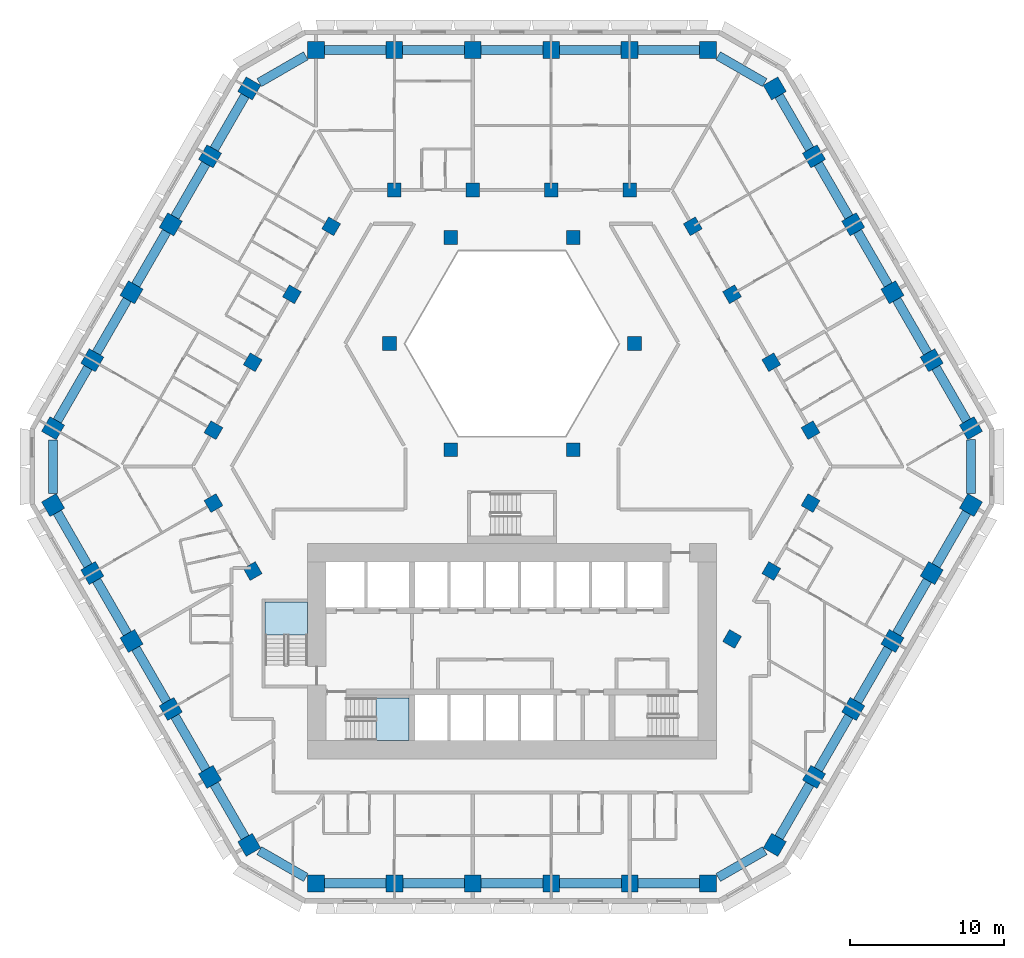
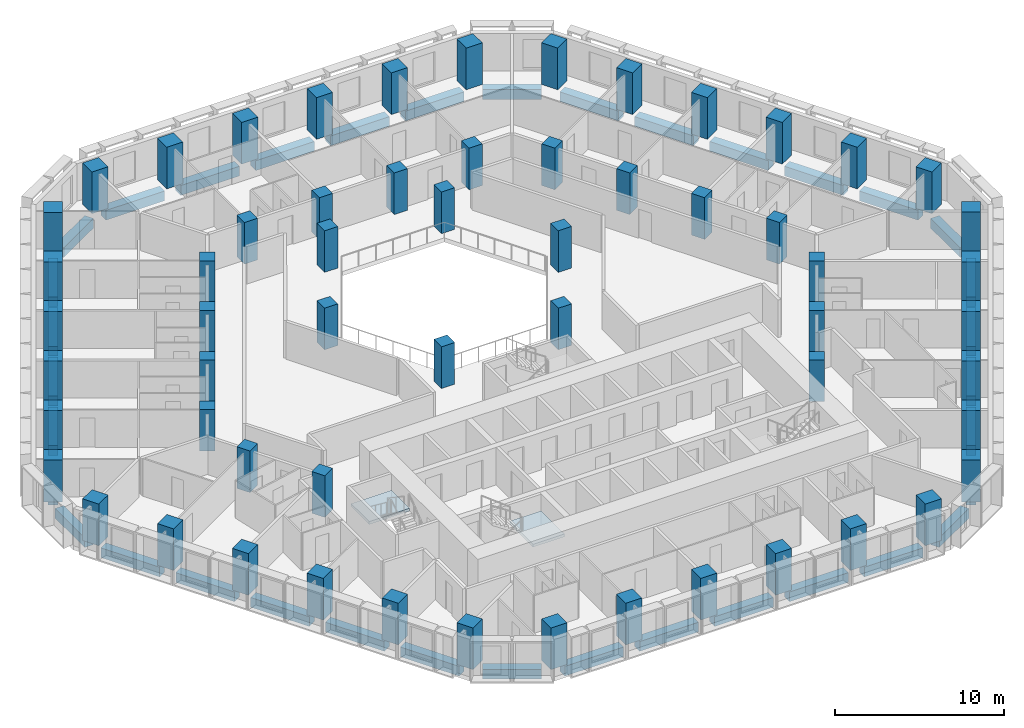
# One storey, part 1 of 16: 59 columns, 36 beams, 2 slabs, 2 elements without a shape of their own.
"""IFC4 building model written with IfcOpenShell, lengths in metres."""

import ifcopenshell
import ifcopenshell.guid

model = None  # the IFC model being written
_history = None  # IfcOwnerHistory: only IFC2X3 demands one
_inside = {}  # id of a spatial element -> (the spatial element, [elements in it])
_under = {}  # id of a project, library or spatial element -> (it, [spatial elements below it])
_declared = {}  # id of a project -> (the project, [libraries it declares])
_typed = {}  # id of a type object -> (the type object, [elements of that type])
_made_of = {}  # id of a material, layer set ... -> (it, [elements and type objects made of it])


def new_model(schema):
    """Start an empty IFC model of exactly this schema.

    Asked for "IFC4X3", IfcOpenShell would pick the latest addendum, in which some entities
    have other attributes; the version numbers below select the first issue.
    IFC2X3 requires an IfcOwnerHistory on every rooted entity: one is made here for all.
    """
    global model, _history
    if schema == "IFC4X3":
        model = ifcopenshell.file(schema_version=(4, 3, 0, 0))
    else:
        model = ifcopenshell.file(schema=schema)
    _inside.clear()
    _under.clear()
    _declared.clear()
    _typed.clear()
    _made_of.clear()
    _history = None
    if model.schema == "IFC2X3":
        org = make("IfcOrganization", Name="unknown")
        user = make(
            "IfcPersonAndOrganization",
            ThePerson=make("IfcPerson", FamilyName="unknown"),
            TheOrganization=org,
        )
        app = make(
            "IfcApplication",
            ApplicationDeveloper=org,
            Version="unknown",
            ApplicationFullName="unknown",
            ApplicationIdentifier="unknown",
        )
        _history = make(
            "IfcOwnerHistory",
            OwningUser=user,
            OwningApplication=app,
            ChangeAction="ADDED",
            CreationDate=0,
        )
    return model


def make(cls, **values):
    """One entity of the class cls with the attributes given. An attribute that is None is left unset."""
    return model.create_entity(
        cls, **{name: value for name, value in values.items() if value is not None}
    )


def rooted(cls, **values):
    """An entity with a GlobalId (a new one), such as an element, a storey or a relation."""
    return make(cls, GlobalId=ifcopenshell.guid.new(), OwnerHistory=_history, **values)


def si_unit(unit_type, name, prefix=None):
    """IfcSIUnit, for example si_unit("LENGTHUNIT", "METRE", prefix="MILLI")."""
    return make("IfcSIUnit", UnitType=unit_type, Prefix=prefix, Name=name)


def assignment(units):
    """IfcUnitAssignment: the units of a project."""
    return None if units is None else make("IfcUnitAssignment", Units=units)


def point(xyz):
    """IfcCartesianPoint."""
    return None if xyz is None else make("IfcCartesianPoint", Coordinates=xyz)


def direction(xyz):
    """IfcDirection."""
    return None if xyz is None else make("IfcDirection", DirectionRatios=xyz)


def frame(location, z_axis=None, x_axis=None):
    """IfcAxis2Placement3D, a coordinate frame: its origin and axes. An axis left out is left unset."""
    return make(
        "IfcAxis2Placement3D",
        Location=point(location),
        Axis=direction(z_axis),
        RefDirection=direction(x_axis),
    )


def frame_2d(location, x_axis=None):
    """IfcAxis2Placement2D, a coordinate frame in the plane: its origin and x axis."""
    return make(
        "IfcAxis2Placement2D", Location=point(location), RefDirection=direction(x_axis)
    )


def origin():
    """The frame at (0, 0, 0) with its axes left unset."""
    return frame((0.0, 0.0, 0.0))


def origin_2d():
    """The frame at (0, 0) in the plane with its x axis left unset."""
    return frame_2d((0.0, 0.0))


def place(relative_to, where):
    """IfcLocalPlacement: puts the frame where relative to a parent placement (None: the world)."""
    return make(
        "IfcLocalPlacement", PlacementRelTo=relative_to, RelativePlacement=where
    )


def context(
    kind, dimensions, precision=None, world=None, true_north=None, identifier=None
):
    """IfcGeometricRepresentationContext, for example the 3D "Model" context."""
    return make(
        "IfcGeometricRepresentationContext",
        ContextIdentifier=identifier,
        ContextType=kind,
        CoordinateSpaceDimension=dimensions,
        Precision=precision,
        WorldCoordinateSystem=world,
        TrueNorth=true_north,
    )


def subcontext(parent, identifier, kind, view, scale=None):
    """IfcGeometricRepresentationSubContext, for example "Body" below "Model"."""
    return make(
        "IfcGeometricRepresentationSubContext",
        ContextIdentifier=identifier,
        ContextType=kind,
        ParentContext=parent,
        TargetScale=scale,
        TargetView=view,
    )


def project(units=None, contexts=None):
    """IfcProject with its units and contexts."""
    return rooted(
        "IfcProject",
        Name="project",
        RepresentationContexts=contexts,
        UnitsInContext=assignment(units),
    )


def spatial(cls, under=None, at=None, **own):
    """A site, building, storey or space (cls), placed at a placement, below another one or the project."""
    s = rooted(cls, ObjectPlacement=at, **own)
    if under is not None:
        _under.setdefault(under.id(), (under, []))[1].append(s)
    return s


def polyline(points):
    """IfcPolyline through the points."""
    return make("IfcPolyline", Points=[point(p) for p in points])


def profile(cls, at=None, kind="AREA", **sizes):
    """A parametric profile (cls). Its sizes go by their IFC names, for example OverallWidth=200.0."""
    return make(cls, ProfileType=kind, Position=at, **sizes)


def rectangle(**sizes):
    """IfcRectangleProfileDef."""
    return profile("IfcRectangleProfileDef", **sizes)


def outline(outer, holes=None, kind="AREA"):
    """IfcArbitraryClosedProfileDef: a profile drawn as a closed curve; with holes, ...WithVoids."""
    if holes is None:
        return make("IfcArbitraryClosedProfileDef", ProfileType=kind, OuterCurve=outer)
    return make(
        "IfcArbitraryProfileDefWithVoids",
        ProfileType=kind,
        OuterCurve=outer,
        InnerCurves=holes,
    )


def extrude(swept, where, along, depth):
    """IfcExtrudedAreaSolid: the profile swept, set in the frame where, extruded along a direction by depth."""
    return make(
        "IfcExtrudedAreaSolid",
        SweptArea=swept,
        Position=where,
        ExtrudedDirection=direction(along),
        Depth=depth,
    )


def shape(context_of_items, identifier, shape_type, items):
    """IfcShapeRepresentation: the items that make up one representation, for example the "Body"."""
    return make(
        "IfcShapeRepresentation",
        ContextOfItems=context_of_items,
        RepresentationIdentifier=identifier,
        RepresentationType=shape_type,
        Items=items,
    )


def material(Name=None, Category=None):
    """IfcMaterial."""
    return make("IfcMaterial", Name=Name, Category=Category)


def layer(
    of_material, thickness, ventilated=None, Name=None, Category=None, Priority=None
):
    """IfcMaterialLayer: one layer of a wall or slab, of a material (None: an air gap)."""
    return make(
        "IfcMaterialLayer",
        Material=of_material,
        LayerThickness=thickness,
        IsVentilated=ventilated,
        Name=Name,
        Category=Category,
        Priority=Priority,
    )


def layer_set(layers, Name=None):
    """IfcMaterialLayerSet."""
    return make("IfcMaterialLayerSet", MaterialLayers=layers, LayerSetName=Name)


def material_profile(
    of_material, cross_section, Name=None, Category=None, Priority=None
):
    """IfcMaterialProfile: a cross section and its material."""
    return make(
        "IfcMaterialProfile",
        Name=Name,
        Material=of_material,
        Profile=cross_section,
        Priority=Priority,
        Category=Category,
    )


def profile_set(profiles, Name=None, composite=None):
    """IfcMaterialProfileSet."""
    return make(
        "IfcMaterialProfileSet",
        Name=Name,
        MaterialProfiles=profiles,
        CompositeProfile=composite,
    )


def made_of(thing, what):
    """Note that an element or type object is made of a material, layer set ...; save() writes the relation."""
    if what is not None:
        _made_of.setdefault(what.id(), (what, []))[1].append(thing)
    return thing


def type_object(cls, material=None, **own):
    """A type object (cls), such as IfcWallType, which elements share."""
    return made_of(rooted(cls, **own), material)


def element(
    cls,
    number,
    at=None,
    inside=None,
    cuts=None,
    type_object=None,
    material=None,
    context=None,
    identifier="Body",
    shape_type=None,
    held_by="IfcProductDefinitionShape",
    body=None,
    shapes=None,
    **own,
):
    """One element of the class cls, such as IfcWall. Its Tag is "e" and its number.

    at: its placement. inside: the storey or other place that contains it. cuts: it is an
    opening in that element (IfcRelVoidsElement). A single representation is given by context,
    identifier, shape_type and body (its items); several are given by shapes. held_by: the class
    of the entity that holds the representations. save() writes the other relations.
    """
    e = rooted(cls, Tag="e%d" % number, ObjectPlacement=at, **own)
    if body is not None:
        shapes = [shape(context, identifier, shape_type, body)]
    if shapes is not None:
        e.Representation = make(held_by, Representations=shapes)
    if inside is not None:
        _inside.setdefault(inside.id(), (inside, []))[1].append(e)
    if cuts is not None:
        rooted(
            "IfcRelVoidsElement", RelatingBuildingElement=cuts, RelatedOpeningElement=e
        )
    if type_object is not None:
        _typed.setdefault(type_object.id(), (type_object, []))[1].append(e)
    return made_of(e, material)


def aggregate(whole, parts):
    """IfcRelAggregates: a whole, such as a stair, and the parts it consists of."""
    return rooted("IfcRelAggregates", RelatingObject=whole, RelatedObjects=parts)


def save(model, path):
    """Write the relations noted so far, then the file.

    IfcRelAggregates (storeys below a building ...), IfcRelContainedInSpatialStructure (elements
    in a storey), IfcRelDefinesByType, IfcRelAssociatesMaterial and IfcRelDeclares: one each for
    every whole, place, type object, material and project.
    """
    for whole, parts in _under.values():
        aggregate(whole, parts)
    for where, things in _inside.values():
        rooted(
            "IfcRelContainedInSpatialStructure",
            RelatedElements=things,
            RelatingStructure=where,
        )
    for kind, things in _typed.values():
        rooted("IfcRelDefinesByType", RelatedObjects=things, RelatingType=kind)
    for what, things in _made_of.values():
        rooted("IfcRelAssociatesMaterial", RelatedObjects=things, RelatingMaterial=what)
    for by, libraries in _declared.values():
        rooted("IfcRelDeclares", RelatingContext=by, RelatedDefinitions=libraries)
    model.write(path)


model = new_model("IFC4")

# Units and contexts
model_context = context("Model", 3, precision=1e-05, world=origin(), true_north=direction((0.0, 1.0)))
body_context = subcontext(model_context, "Body", "Model", "MODEL_VIEW")
ifc_project = project(units=[si_unit("LENGTHUNIT", "METRE"), si_unit("AREAUNIT", "SQUARE_METRE"), si_unit("VOLUMEUNIT", "CUBIC_METRE"), si_unit("PLANEANGLEUNIT", "RADIAN"), si_unit("MASSUNIT", "GRAM", prefix="KILO")], contexts=[model_context])

# Site, building, storey
site_placement = place(None, origin())
site = spatial("IfcSite", under=ifc_project, at=site_placement, CompositionType="ELEMENT")
building_placement = place(site_placement, origin())
building = spatial("IfcBuilding", under=site, at=building_placement, Name="Beryl Residences", CompositionType="ELEMENT")
storey_placement = place(building_placement, frame((0.0, 0.0, 50.39990234375)))
storey = spatial("IfcBuildingStorey", under=building, at=storey_placement, Name="L15", CompositionType="ELEMENT", Elevation=50.39990234375)

# Columns
ifc_material_1 = material(Name="Concrete C80/95", Category="concrete")
ifc_material_profile_1 = material_profile(ifc_material_1, rectangle(XDim=1.10009765625, YDim=1.10009765625, at=origin_2d()))
ifc_profile_set_1 = profile_set([ifc_material_profile_1], Name="Concrete C80/95")
column_type_1 = type_object("IfcColumnType", Name="C1 tube column 1100 x 1100 C80/95", PredefinedType="COLUMN", material=ifc_profile_set_1)
for number, where, z_axis, x_axis, name in (
    (1, (12.759033203125, 27.10009765625, 0.0), (0.0, 0.0, 1.0), (-1.0, 0.0, 0.0), "C1-N1 L15"),
    (2, (7.655029296875, 27.10009765625, 0.0), (0.0, 0.0, 1.0), (-1.0, 0.0, 0.0), "C1-N2 L15"),
    (3, (2.551025390625, 27.10009765625, 0.0), (0.0, 0.0, 1.0), (-1.0, 0.0, 0.0), "C1-N3 L15"),
    (4, (-2.552978515625, 27.10009765625, 0.0), (0.0, 0.0, 1.0), (-1.0, 0.0, 0.0), "C1-N4 L15"),
    (5, (-7.656982421875, 27.10009765625, 0.0), (0.0, 0.0, 1.0), (-1.0, 0.0, 0.0), "C1-N5 L15"),
    (6, (-12.760986328125, 27.10009765625, 0.0), (0.0, 0.0, 1.0), (-1.0, 0.0, 0.0), "C1-N6 L15"),
    (7, (-17.090087890625, 24.60009765625, 0.0), (0.0, 0.0, 1.0), (-0.499984884929, -0.866034130299, 0.0), "C1-NW1 L15"),
    (8, (-19.64208984375, 20.179931640625, 0.0), (0.0, 0.0, 1.0), (-0.499984884929, -0.866034130299, 0.0), "C1-NW2 L15"),
    (9, (-22.194091796875, 15.759033203125, 0.0), (0.0, 0.0, 1.0), (-0.499984884929, -0.866034130299, 0.0), "C1-NW3 L15"),
    (10, (-24.74609375, 11.339111328125, 0.0), (0.0, 0.0, 1.0), (-0.499984884929, -0.866034130299, 0.0), "C1-NW4 L15"),
    (11, (-27.298095703125, 6.9189453125, 0.0), (0.0, 0.0, 1.0), (-0.499984884929, -0.866034130299, 0.0), "C1-NW5 L15"),
    (12, (-29.84912109375, 2.4990234375, 0.0), (0.0, 0.0, 1.0), (-0.499984884929, -0.866034130299, 0.0), "C1-NW6 L15"),
    (13, (-29.847900390625, -2.5, 0.0), (0.0, 0.0, 1.0), (0.499984884929, -0.866034130299, 0.0), "C1-SW1 L15"),
    (14, (-27.297119140625, -6.9208984375, 0.0), (0.0, 0.0, 1.0), (0.499984884929, -0.866034130299, 0.0), "C1-SW2 L15"),
    (15, (-24.7451171875, -11.341064453125, 0.0), (0.0, 0.0, 1.0), (0.499984884929, -0.866034130299, 0.0), "C1-SW3 L15"),
    (16, (-22.193115234375, -15.760986328125, 0.0), (0.0, 0.0, 1.0), (0.499984884929, -0.866034130299, 0.0), "C1-SW4 L15"),
    (17, (-19.64111328125, -20.180908203125, 0.0), (0.0, 0.0, 1.0), (0.499984884929, -0.866034130299, 0.0), "C1-SW5 L15"),
    (18, (-17.089111328125, -24.60107421875, 0.0), (0.0, 0.0, 1.0), (0.499984884929, -0.866034130299, 0.0), "C1-SW6 L15"),
    (19, (-12.759033203125, -27.10009765625, 0.0), (0.0, 0.0, 1.0), (1.0, 0.0, 0.0), "C1-S1 L15"),
    (20, (-7.655029296875, -27.10009765625, 0.0), (0.0, 0.0, 1.0), (1.0, 0.0, 0.0), "C1-S2 L15"),
    (21, (-2.551025390625, -27.10009765625, 0.0), (0.0, 0.0, 1.0), (1.0, 0.0, 0.0), "C1-S3 L15"),
    (22, (2.552978515625, -27.10009765625, 0.0), (0.0, 0.0, 1.0), (1.0, 0.0, 0.0), "C1-S4 L15"),
    (23, (7.656982421875, -27.10009765625, 0.0), (0.0, 0.0, 1.0), (1.0, 0.0, 0.0), "C1-S5 L15"),
    (24, (12.760986328125, -27.10009765625, 0.0), (0.0, 0.0, 1.0), (1.0, 0.0, 0.0), "C1-S6 L15"),
    (25, (17.090087890625, -24.60009765625, 0.0), (0.0, 0.0, 1.0), (0.499984884929, 0.866034130299, 0.0), "C1-SE1 L15"),
    (26, (19.64208984375, -20.179931640625, 0.0), (0.0, 0.0, 1.0), (0.499984884929, 0.866034130299, 0.0), "C1-SE2 L15"),
    (27, (22.194091796875, -15.759033203125, 0.0), (0.0, 0.0, 1.0), (0.499984884929, 0.866034130299, 0.0), "C1-SE3 L15"),
    (28, (24.74609375, -11.339111328125, 0.0), (0.0, 0.0, 1.0), (0.499984884929, 0.866034130299, 0.0), "C1-SE4 L15"),
    (29, (27.298095703125, -6.9189453125, 0.0), (0.0, 0.0, 1.0), (0.499984884929, 0.866034130299, 0.0), "C1-SE5 L15"),
    (30, (29.84912109375, -2.4990234375, 0.0), (0.0, 0.0, 1.0), (0.499984884929, 0.866034130299, 0.0), "C1-SE6 L15"),
    (31, (29.847900390625, 2.5, 0.0), (0.0, 0.0, 1.0), (-0.499984884929, 0.866034130299, 0.0), "C1-NE1 L15"),
    (32, (27.297119140625, 6.9208984375, 0.0), (0.0, 0.0, 1.0), (-0.499984884929, 0.866034130299, 0.0), "C1-NE2 L15"),
    (33, (24.7451171875, 11.341064453125, 0.0), (0.0, 0.0, 1.0), (-0.499984884929, 0.866034130299, 0.0), "C1-NE3 L15"),
    (34, (22.193115234375, 15.760986328125, 0.0), (0.0, 0.0, 1.0), (-0.499984884929, 0.866034130299, 0.0), "C1-NE4 L15"),
    (35, (19.64111328125, 20.180908203125, 0.0), (0.0, 0.0, 1.0), (-0.499984884929, 0.866034130299, 0.0), "C1-NE5 L15"),
    (36, (17.089111328125, 24.60107421875, 0.0), (0.0, 0.0, 1.0), (-0.499984884929, 0.866034130299, 0.0), "C1-NE6 L15"),
):
    element("IfcColumn", number, at=place(storey_placement, frame(where, z_axis=z_axis, x_axis=x_axis)), inside=storey, type_object=column_type_1, Name=name, PredefinedType="COLUMN", context=body_context, shape_type="SweptSolid", body=[
        extrude(rectangle(XDim=1.10009765625, YDim=1.10009765625, at=origin_2d()), origin(), (0.0, 0.0, 1.0), 3.0),
    ])
ifc_material_2 = material(Name="Concrete C80/95", Category="concrete")
ifc_material_profile_2 = material_profile(ifc_material_2, rectangle(XDim=0.89990234375, YDim=0.89990234375, at=origin_2d()))
ifc_profile_set_2 = profile_set([ifc_material_profile_2], Name="Concrete C80/95")
column_type_2 = type_object("IfcColumnType", Name="IC1 interior column 900 x 900 C80/95", PredefinedType="COLUMN", material=ifc_profile_set_2)
for number, where, z_axis, x_axis, name in (
    (37, (-19.416015625, -2.37109375, 0.0), (0.0, 0.0, 1.0), (0.499984884929, -0.866034130299, 0.0), "IC1-M01 L15"),
    (38, (-16.864013671875, -6.791015625, 0.0), (0.0, 0.0, 1.0), (0.499984884929, -0.866034130299, 0.0), "IC1-M02 L15"),
    (39, (14.31298828125, -11.208984375, 0.0), (0.0, 0.0, 1.0), (0.499984884929, 0.866034130299, 0.0), "IC1-M03 L15"),
    (40, (16.864990234375, -6.7890625, 0.0), (0.0, 0.0, 1.0), (0.499984884929, 0.866034130299, 0.0), "IC1-M04 L15"),
    (41, (19.4169921875, -2.368896484375, 0.0), (0.0, 0.0, 1.0), (0.499984884929, 0.866034130299, 0.0), "IC1-M05 L15"),
    (42, (19.416015625, 2.37109375, 0.0), (0.0, 0.0, 1.0), (-0.499984884929, 0.866034130299, 0.0), "IC1-M06 L15"),
    (43, (3.98388671875, 1.10009765625, 0.0), (0.0, 0.0, 1.0), (1.0, 0.0, 0.0), "IC1-A07 L15"),
    (44, (16.864013671875, 6.791015625, 0.0), (0.0, 0.0, 1.0), (-0.499984884929, 0.866034130299, 0.0), "IC1-M08 L15"),
    (45, (14.31201171875, 11.2109375, 0.0), (0.0, 0.0, 1.0), (-0.499984884929, 0.866034130299, 0.0), "IC1-M09 L15"),
    (46, (7.967041015625, 8.0, 0.0), (0.0, 0.0, 1.0), (1.0, 0.0, 0.0), "IC1-A10 L15"),
    (47, (11.760009765625, 15.631103515625, 0.0), (0.0, 0.0, 1.0), (-0.499984884929, 0.866034130299, 0.0), "IC1-M11 L15"),
    (48, (7.655029296875, 18.0, 0.0), (0.0, 0.0, 1.0), (-1.0, 0.0, 0.0), "IC1-M12 L15"),
    (49, (3.98388671875, 14.89990234375, 0.0), (0.0, 0.0, 1.0), (1.0, 0.0, 0.0), "IC1-A13 L15"),
    (50, (2.551025390625, 18.0, 0.0), (0.0, 0.0, 1.0), (-1.0, 0.0, 0.0), "IC1-M14 L15"),
    (51, (-2.552978515625, 18.0, 0.0), (0.0, 0.0, 1.0), (-1.0, 0.0, 0.0), "IC1-M15 L15"),
    (52, (-3.98388671875, 14.89990234375, 0.0), (0.0, 0.0, 1.0), (1.0, 0.0, 0.0), "IC1-A16 L15"),
    (53, (-7.656982421875, 18.0, 0.0), (0.0, 0.0, 1.0), (-1.0, 0.0, 0.0), "IC1-M17 L15"),
    (54, (-11.760986328125, 15.6298828125, 0.0), (0.0, 0.0, 1.0), (-0.499984884929, -0.866034130299, 0.0), "IC1-M18 L15"),
    (55, (-7.967041015625, 8.0, 0.0), (0.0, 0.0, 1.0), (1.0, 0.0, 0.0), "IC1-A19 L15"),
    (56, (-14.31298828125, 11.208984375, 0.0), (0.0, 0.0, 1.0), (-0.499984884929, -0.866034130299, 0.0), "IC1-M20 L15"),
    (57, (-16.864990234375, 6.7890625, 0.0), (0.0, 0.0, 1.0), (-0.499984884929, -0.866034130299, 0.0), "IC1-M21 L15"),
    (58, (-3.98388671875, 1.10009765625, 0.0), (0.0, 0.0, 1.0), (1.0, 0.0, 0.0), "IC1-A22 L15"),
    (59, (-19.4169921875, 2.368896484375, 0.0), (0.0, 0.0, 1.0), (-0.499984884929, -0.866034130299, 0.0), "IC1-M23 L15"),
):
    element("IfcColumn", number, at=place(storey_placement, frame(where, z_axis=z_axis, x_axis=x_axis)), inside=storey, type_object=column_type_2, Name=name, PredefinedType="COLUMN", context=body_context, shape_type="SweptSolid", body=[
        extrude(rectangle(XDim=0.89990234375, YDim=0.89990234375, at=origin_2d()), origin(), (0.0, 0.0, 1.0), 3.0),
    ])

# Beams
ifc_material_3 = material(Name="Concrete C80/95", Category="concrete")
ifc_material_profile_3 = material_profile(ifc_material_3, rectangle(XDim=0.60009765625, YDim=0.699951171875, at=origin_2d()))
ifc_profile_set_3 = profile_set([ifc_material_profile_3], Name="Concrete C80/95")
beam_type = type_object("IfcBeamType", Name="SB1 spandrel beam 600 x 700 C80/95", PredefinedType="SPANDREL", material=ifc_profile_set_3)
for number, where, z_axis, x_axis, name in (
    (60, (12.208984375, 27.10009765625, -0.64990234375), (-1.0, 0.0, 0.0), (0.0, -1.0, 0.0), "SB1 L15 N-0"),
    (61, (7.10498046875, 27.10009765625, -0.64990234375), (-1.0, 0.0, 0.0), (0.0, -1.0, 0.0), "SB1 L15 N-1"),
    (62, (2.0009765625, 27.10009765625, -0.64990234375), (-1.0, 0.0, 0.0), (0.0, -1.0, 0.0), "SB1 L15 N-2"),
    (63, (-3.10302734375, 27.10009765625, -0.64990234375), (-1.0, 0.0, 0.0), (0.0, -1.0, 0.0), "SB1 L15 N-3"),
    (64, (-8.20703125, 27.10009765625, -0.64990234375), (-1.0, 0.0, 0.0), (0.0, -1.0, 0.0), "SB1 L15 N-4"),
):
    element("IfcBeam", number, at=place(storey_placement, frame(where, z_axis=z_axis, x_axis=x_axis)), inside=storey, type_object=beam_type, Name=name, PredefinedType="SPANDREL", context=body_context, shape_type="SweptSolid", body=[
        extrude(rectangle(XDim=0.60009765625, YDim=0.699951171875, at=origin_2d()), origin(), (0.0, 0.0, 1.0), 4.00390625),
    ])
beam_1_placement = place(storey_placement, frame((-13.410888671875, 26.72412109375, -0.64990234375), z_axis=(-0.866121658299, -0.499833245218, 0.0), x_axis=(0.499833245218, -0.866121658299, 0.0)))
element("IfcBeam", 65, at=beam_1_placement, inside=storey, type_object=beam_type, Name="SB1 L15 N-5", PredefinedType="SPANDREL", context=body_context, shape_type="SweptSolid", body=[
    extrude(rectangle(XDim=0.60009765625, YDim=0.699951171875, at=origin_2d()), origin(), (0.0, 0.0, 1.0), 3.497314453125),
])
beam_2_placement = place(storey_placement, frame((-17.364990234375, 24.1240234375, -0.64990234375), z_axis=(-0.499942357345, -0.866058681229, 0.0), x_axis=(0.866058681229, -0.499942357345, 0.0)))
element("IfcBeam", 66, at=beam_2_placement, inside=storey, type_object=beam_type, Name="SB1 L15 NW-0", PredefinedType="SPANDREL", context=body_context, shape_type="SweptSolid", body=[
    extrude(rectangle(XDim=0.60009765625, YDim=0.699951171875, at=origin_2d()), origin(), (0.0, 0.0, 1.0), 4.00439453125),
])
beam_3_placement = place(storey_placement, frame((-19.9169921875, 19.7041015625, -0.64990234375), z_axis=(-0.499836783367, -0.866119616446, 0.0), x_axis=(0.866119616446, -0.499836783367, 0.0)))
element("IfcBeam", 67, at=beam_3_placement, inside=storey, type_object=beam_type, Name="SB1 L15 NW-1", PredefinedType="SPANDREL", context=body_context, shape_type="SweptSolid", body=[
    extrude(rectangle(XDim=0.60009765625, YDim=0.699951171875, at=origin_2d()), origin(), (0.0, 0.0, 1.0), 4.005126953125),
])
for number, where, z_axis, x_axis, name in (
    (68, (-22.468994140625, 15.282958984375, -0.64990234375), (-0.499942357345, -0.866058681229, 0.0), (0.866058681229, -0.499942357345, 0.0), "SB1 L15 NW-2"),
    (69, (-25.02099609375, 10.863037109375, -0.64990234375), (-0.499942357345, -0.866058681229, 0.0), (0.866058681229, -0.499942357345, 0.0), "SB1 L15 NW-3"),
):
    element("IfcBeam", number, at=place(storey_placement, frame(where, z_axis=z_axis, x_axis=x_axis)), inside=storey, type_object=beam_type, Name=name, PredefinedType="SPANDREL", context=body_context, shape_type="SweptSolid", body=[
        extrude(rectangle(XDim=0.60009765625, YDim=0.699951171875, at=origin_2d()), origin(), (0.0, 0.0, 1.0), 4.00439453125),
    ])
beam_4_placement = place(storey_placement, frame((-27.572998046875, 6.443115234375, -0.64990234375), z_axis=(-0.499759404093, -0.866164267342, 0.0), x_axis=(0.866164267342, -0.499759404093, 0.0)))
element("IfcBeam", 70, at=beam_4_placement, inside=storey, type_object=beam_type, Name="SB1 L15 NW-4", PredefinedType="SPANDREL", context=body_context, shape_type="SweptSolid", body=[
    extrude(rectangle(XDim=0.60009765625, YDim=0.699951171875, at=origin_2d()), origin(), (0.0, 0.0, 1.0), 4.00390625),
])
beam_5_placement = place(storey_placement, frame((-29.84912109375, 1.748046875, -0.64990234375), z_axis=(0.000349064486, -0.999999939077, 0.0), x_axis=(0.999999939077, 0.000349064486, 0.0)))
element("IfcBeam", 71, at=beam_5_placement, inside=storey, type_object=beam_type, Name="SB1 L15 NW-5", PredefinedType="SPANDREL", context=body_context, shape_type="SweptSolid", body=[
    extrude(rectangle(XDim=0.60009765625, YDim=0.699951171875, at=origin_2d()), origin(), (0.0, 0.0, 1.0), 3.4970703125),
])
beam_6_placement = place(storey_placement, frame((-29.572998046875, -2.97607421875, -0.64990234375), z_axis=(0.499653843024, -0.866225165388, 0.0), x_axis=(0.866225165388, 0.499653843024, 0.0)))
element("IfcBeam", 72, at=beam_6_placement, inside=storey, type_object=beam_type, Name="SB1 L15 SW-0", PredefinedType="SPANDREL", context=body_context, shape_type="SweptSolid", body=[
    extrude(rectangle(XDim=0.60009765625, YDim=0.699951171875, at=origin_2d()), origin(), (0.0, 0.0, 1.0), 4.004638671875),
])
for number, where, z_axis, x_axis, name in (
    (73, (-27.02197265625, -7.39697265625, -0.64990234375), (0.499942357345, -0.866058681229, 0.0), (0.866058681229, 0.499942357345, 0.0), "SB1 L15 SW-1"),
    (74, (-24.469970703125, -11.81689453125, -0.64990234375), (0.499942357345, -0.866058681229, 0.0), (0.866058681229, 0.499942357345, 0.0), "SB1 L15 SW-2"),
    (75, (-21.91796875, -16.237060546875, -0.64990234375), (0.499942357345, -0.866058681229, 0.0), (0.866058681229, 0.499942357345, 0.0), "SB1 L15 SW-3"),
    (76, (-19.365966796875, -20.656982421875, -0.64990234375), (0.499942357345, -0.866058681229, 0.0), (0.866058681229, 0.499942357345, 0.0), "SB1 L15 SW-4"),
):
    element("IfcBeam", number, at=place(storey_placement, frame(where, z_axis=z_axis, x_axis=x_axis)), inside=storey, type_object=beam_type, Name=name, PredefinedType="SPANDREL", context=body_context, shape_type="SweptSolid", body=[
        extrude(rectangle(XDim=0.60009765625, YDim=0.699951171875, at=origin_2d()), origin(), (0.0, 0.0, 1.0), 4.00439453125),
    ])
beam_7_placement = place(storey_placement, frame((-16.43896484375, -24.97607421875, -0.64990234375), z_axis=(0.866070549782, -0.499921796684, 0.0), x_axis=(0.499921796684, 0.866070549782, 0.0)))
element("IfcBeam", 77, at=beam_7_placement, inside=storey, type_object=beam_type, Name="SB1 L15 SW-5", PredefinedType="SPANDREL", context=body_context, shape_type="SweptSolid", body=[
    extrude(rectangle(XDim=0.60009765625, YDim=0.699951171875, at=origin_2d()), origin(), (0.0, 0.0, 1.0), 3.49853515625),
])
for number, where, z_axis, x_axis, name in (
    (78, (-12.208984375, -27.10009765625, -0.64990234375), (1.0, 0.0, 0.0), (0.0, 1.0, 0.0), "SB1 L15 S-0"),
    (79, (-7.10498046875, -27.10009765625, -0.64990234375), (1.0, 0.0, 0.0), (0.0, 1.0, 0.0), "SB1 L15 S-1"),
    (80, (-2.0009765625, -27.10009765625, -0.64990234375), (1.0, 0.0, 0.0), (0.0, 1.0, 0.0), "SB1 L15 S-2"),
    (81, (3.10302734375, -27.10009765625, -0.64990234375), (1.0, 0.0, 0.0), (0.0, 1.0, 0.0), "SB1 L15 S-3"),
    (82, (8.20703125, -27.10009765625, -0.64990234375), (1.0, 0.0, 0.0), (0.0, 1.0, 0.0), "SB1 L15 S-4"),
):
    element("IfcBeam", number, at=place(storey_placement, frame(where, z_axis=z_axis, x_axis=x_axis)), inside=storey, type_object=beam_type, Name=name, PredefinedType="SPANDREL", context=body_context, shape_type="SweptSolid", body=[
        extrude(rectangle(XDim=0.60009765625, YDim=0.699951171875, at=origin_2d()), origin(), (0.0, 0.0, 1.0), 4.00390625),
    ])
beam_8_placement = place(storey_placement, frame((13.410888671875, -26.72412109375, -0.64990234375), z_axis=(0.866121658299, 0.499833245218, 0.0), x_axis=(-0.499833245218, 0.866121658299, 0.0)))
element("IfcBeam", 83, at=beam_8_placement, inside=storey, type_object=beam_type, Name="SB1 L15 S-5", PredefinedType="SPANDREL", context=body_context, shape_type="SweptSolid", body=[
    extrude(rectangle(XDim=0.60009765625, YDim=0.699951171875, at=origin_2d()), origin(), (0.0, 0.0, 1.0), 3.497314453125),
])
beam_9_placement = place(storey_placement, frame((17.364990234375, -24.1240234375, -0.64990234375), z_axis=(0.499942357345, 0.866058681229, 0.0), x_axis=(-0.866058681229, 0.499942357345, 0.0)))
element("IfcBeam", 84, at=beam_9_placement, inside=storey, type_object=beam_type, Name="SB1 L15 SE-0", PredefinedType="SPANDREL", context=body_context, shape_type="SweptSolid", body=[
    extrude(rectangle(XDim=0.60009765625, YDim=0.699951171875, at=origin_2d()), origin(), (0.0, 0.0, 1.0), 4.00439453125),
])
beam_10_placement = place(storey_placement, frame((19.9169921875, -19.7041015625, -0.64990234375), z_axis=(0.499836783367, 0.866119616446, 0.0), x_axis=(-0.866119616446, 0.499836783367, 0.0)))
element("IfcBeam", 85, at=beam_10_placement, inside=storey, type_object=beam_type, Name="SB1 L15 SE-1", PredefinedType="SPANDREL", context=body_context, shape_type="SweptSolid", body=[
    extrude(rectangle(XDim=0.60009765625, YDim=0.699951171875, at=origin_2d()), origin(), (0.0, 0.0, 1.0), 4.005126953125),
])
for number, where, z_axis, x_axis, name in (
    (86, (22.468994140625, -15.282958984375, -0.64990234375), (0.499942357345, 0.866058681229, 0.0), (-0.866058681229, 0.499942357345, 0.0), "SB1 L15 SE-2"),
    (87, (25.02099609375, -10.863037109375, -0.64990234375), (0.499942357345, 0.866058681229, 0.0), (-0.866058681229, 0.499942357345, 0.0), "SB1 L15 SE-3"),
):
    element("IfcBeam", number, at=place(storey_placement, frame(where, z_axis=z_axis, x_axis=x_axis)), inside=storey, type_object=beam_type, Name=name, PredefinedType="SPANDREL", context=body_context, shape_type="SweptSolid", body=[
        extrude(rectangle(XDim=0.60009765625, YDim=0.699951171875, at=origin_2d()), origin(), (0.0, 0.0, 1.0), 4.00439453125),
    ])
beam_11_placement = place(storey_placement, frame((27.572998046875, -6.443115234375, -0.64990234375), z_axis=(0.499759404093, 0.866164267342, 0.0), x_axis=(-0.866164267342, 0.499759404093, 0.0)))
element("IfcBeam", 88, at=beam_11_placement, inside=storey, type_object=beam_type, Name="SB1 L15 SE-4", PredefinedType="SPANDREL", context=body_context, shape_type="SweptSolid", body=[
    extrude(rectangle(XDim=0.60009765625, YDim=0.699951171875, at=origin_2d()), origin(), (0.0, 0.0, 1.0), 4.00390625),
])
beam_12_placement = place(storey_placement, frame((29.84912109375, -1.748046875, -0.64990234375), z_axis=(-0.000349064486, 0.999999939077, 0.0), x_axis=(-0.999999939077, -0.000349064486, 0.0)))
element("IfcBeam", 89, at=beam_12_placement, inside=storey, type_object=beam_type, Name="SB1 L15 SE-5", PredefinedType="SPANDREL", context=body_context, shape_type="SweptSolid", body=[
    extrude(rectangle(XDim=0.60009765625, YDim=0.699951171875, at=origin_2d()), origin(), (0.0, 0.0, 1.0), 3.4970703125),
])
beam_13_placement = place(storey_placement, frame((29.572998046875, 2.97607421875, -0.64990234375), z_axis=(-0.499653843024, 0.866225165388, 0.0), x_axis=(-0.866225165388, -0.499653843024, 0.0)))
element("IfcBeam", 90, at=beam_13_placement, inside=storey, type_object=beam_type, Name="SB1 L15 NE-0", PredefinedType="SPANDREL", context=body_context, shape_type="SweptSolid", body=[
    extrude(rectangle(XDim=0.60009765625, YDim=0.699951171875, at=origin_2d()), origin(), (0.0, 0.0, 1.0), 4.004638671875),
])
for number, where, z_axis, x_axis, name in (
    (91, (27.02197265625, 7.39697265625, -0.64990234375), (-0.499942357345, 0.866058681229, 0.0), (-0.866058681229, -0.499942357345, 0.0), "SB1 L15 NE-1"),
    (92, (24.469970703125, 11.81689453125, -0.64990234375), (-0.499942357345, 0.866058681229, 0.0), (-0.866058681229, -0.499942357345, 0.0), "SB1 L15 NE-2"),
    (93, (21.91796875, 16.237060546875, -0.64990234375), (-0.499942357345, 0.866058681229, 0.0), (-0.866058681229, -0.499942357345, 0.0), "SB1 L15 NE-3"),
    (94, (19.365966796875, 20.656982421875, -0.64990234375), (-0.499942357345, 0.866058681229, 0.0), (-0.866058681229, -0.499942357345, 0.0), "SB1 L15 NE-4"),
):
    element("IfcBeam", number, at=place(storey_placement, frame(where, z_axis=z_axis, x_axis=x_axis)), inside=storey, type_object=beam_type, Name=name, PredefinedType="SPANDREL", context=body_context, shape_type="SweptSolid", body=[
        extrude(rectangle(XDim=0.60009765625, YDim=0.699951171875, at=origin_2d()), origin(), (0.0, 0.0, 1.0), 4.00439453125),
    ])
beam_14_placement = place(storey_placement, frame((16.43896484375, 24.97607421875, -0.64990234375), z_axis=(-0.866070549782, 0.499921796684, 0.0), x_axis=(-0.499921796684, -0.866070549782, 0.0)))
element("IfcBeam", 95, at=beam_14_placement, inside=storey, type_object=beam_type, Name="SB1 L15 NE-5", PredefinedType="SPANDREL", context=body_context, shape_type="SweptSolid", body=[
    extrude(rectangle(XDim=0.60009765625, YDim=0.699951171875, at=origin_2d()), origin(), (0.0, 0.0, 1.0), 3.49853515625),
])

# Stair, slab
ifc_material_4 = material(Name="Concrete C40/50", Category="concrete")
stair_type = type_object("IfcStairType", Name="ST1 protected exit stair, half-turn, 1300 mm flights", PredefinedType="HALF_TURN_STAIR", material=ifc_material_4)
stair_1_placement = place(storey_placement, origin())
stair_1 = element("IfcStair", 96, at=stair_1_placement, inside=storey, type_object=stair_type, Name="L15 PROTECTED EXIT STAIR ST-1", PredefinedType="HALF_TURN_STAIR")
ifc_material_5 = material(Name="Concrete C40/50", Category="concrete")
ifc_layer = layer(ifc_material_5, 0.199951171875)
ifc_layer_set = layer_set([ifc_layer], Name="SLD1 stair landing 200 mm")
slab_type = type_object("IfcSlabType", Name="SLD1 stair landing 200 mm", PredefinedType="LANDING", material=ifc_layer_set)
slab_1_placement = place(storey_placement, frame((0.0, 0.0, 1.300048828125)))
slab_1 = element("IfcSlab", 97, at=slab_1_placement, type_object=slab_type, Name="ST-1 landing 1", PredefinedType="LANDING", context=body_context, shape_type="SweptSolid", body=[
    extrude(outline(polyline([(-8.840087890625, -17.800048828125), (-6.699951171875, -17.800048828125), (-6.699951171875, -15.050048828125), (-8.840087890625, -15.050048828125), (-8.840087890625, -17.800048828125)])), origin(), (0.0, 0.0, 1.0), 0.199951171875),
])
aggregate(stair_1, [slab_1])

stair_2_placement = place(storey_placement, origin())
stair_2 = element("IfcStair", 98, at=stair_2_placement, inside=storey, type_object=stair_type, Name="L15 PROTECTED EXIT STAIR ST-2", PredefinedType="HALF_TURN_STAIR")
slab_2_placement = place(storey_placement, frame((0.0, 0.0, 1.300048828125)))
slab_2 = element("IfcSlab", 99, at=slab_2_placement, type_object=slab_type, Name="ST-2 landing 1", PredefinedType="LANDING", context=body_context, shape_type="SweptSolid", body=[
    extrude(outline(polyline([(-13.300048828125, -10.93994140625), (-13.300048828125, -8.800048828125), (-16.050048828125, -8.800048828125), (-16.050048828125, -10.93994140625), (-13.300048828125, -10.93994140625)])), origin(), (0.0, 0.0, 1.0), 0.199951171875),
])
aggregate(stair_2, [slab_2])

save(model, "model.ifc")
